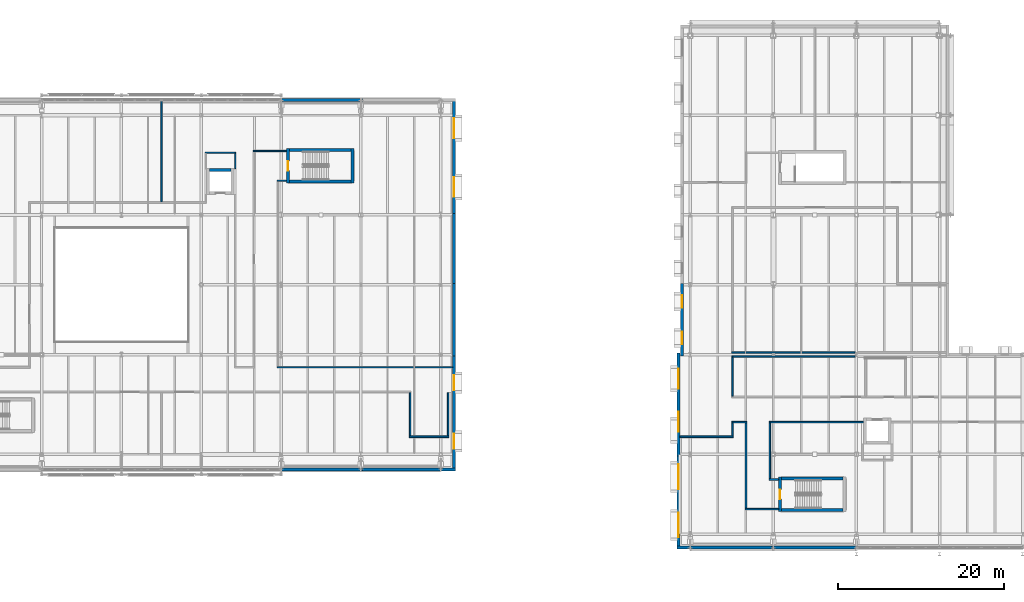
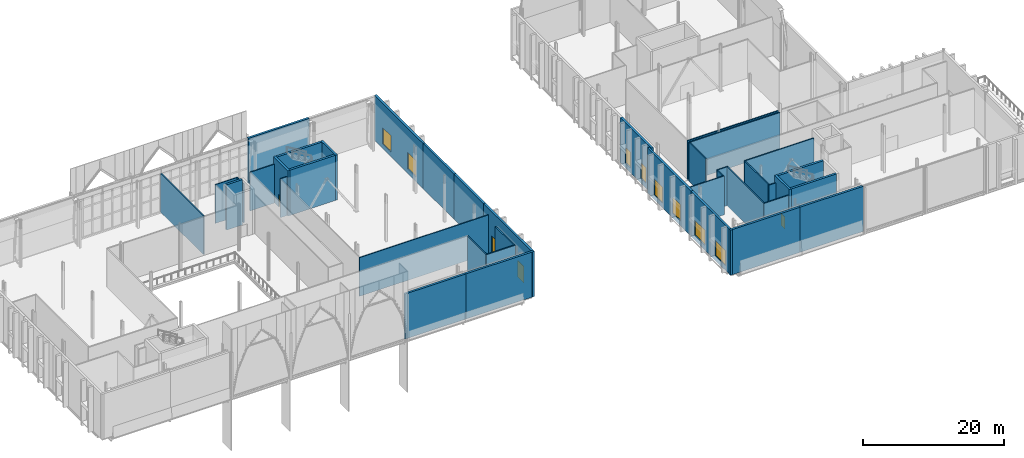
# One storey, part 60 of 79: 40 walls, 10 windows, 2 doors, 12 openings.
"""IFC4 building model written with IfcOpenShell, lengths in metres."""

from ifc_helpers import new_model, si_unit, direction, frame, frame_2d, origin, place, context, subcontext, project, spatial, rectangle, extrude, material, layer, layer_set, type_object, element, fill, save


model = new_model("IFC4")

# Units and contexts
model_context = context("Model", 3, precision=1e-05, world=origin(), true_north=direction((0.0, 1.0)))
body_context = subcontext(model_context, "Body", "Model", "MODEL_VIEW")
ifc_project = project(units=[si_unit("LENGTHUNIT", "METRE"), si_unit("AREAUNIT", "SQUARE_METRE"), si_unit("VOLUMEUNIT", "CUBIC_METRE"), si_unit("PLANEANGLEUNIT", "RADIAN"), si_unit("MASSUNIT", "GRAM", prefix="KILO")], contexts=[model_context])

# Site, building, storey
site_placement = place(None, origin())
site = spatial("IfcSite", under=ifc_project, at=site_placement, CompositionType="ELEMENT")
building_placement = place(site_placement, origin())
building = spatial("IfcBuilding", under=site, at=building_placement, Name="Zereglee Splitstone Museum", CompositionType="ELEMENT")
storey_placement = place(building_placement, frame((0.0, 0.0, 9.0)))
storey = spatial("IfcBuildingStorey", under=building, at=storey_placement, Name="L02", CompositionType="ELEMENT", Elevation=9.0)

# Wall, opening, door
ifc_material_1 = material(Name="Concrete C45/55", Category="concrete")
ifc_layer_1 = layer(ifc_material_1, 0.360107421875)
ifc_layer_set_1 = layer_set([ifc_layer_1], Name="Concrete C45/55")
wall_type_1 = type_object("IfcWallType", Name="CSW-02", PredefinedType="SHEAR", material=ifc_layer_set_1)
wall_1_placement = place(storey_placement, frame((126.820068359375, 42.239990234375, 0.0), z_axis=(0.0, 0.0, 1.0), x_axis=(0.0, 1.0, 0.0)))
wall_1 = element("IfcWall", 1, at=wall_1_placement, inside=storey, type_object=wall_type_1, Name="Stair Core Shear Wall ST-03 L02 West", PredefinedType="SHEAR", context=body_context, shape_type="SweptSolid", body=[
    extrude(rectangle(XDim=4.1201171875, YDim=0.360107421875, at=frame_2d((2.06005859375, 0.0))), origin(), (0.0, 0.0, 1.0), 7.820068359375),
])
opening_1_placement = place(wall_1_placement, frame((1.485107421875, 0.0, 0.0)))
opening_1 = element("IfcOpeningElement", 2, at=opening_1_placement, cuts=wall_1, Name="Opening ID-03", PredefinedType="OPENING", context=body_context, shape_type="SweptSolid", body=[
    extrude(rectangle(XDim=1.14990234375, YDim=2.14990234375, at=frame_2d((0.574951171875, 1.074951171875))), frame((0.0, 0.19482421875, 0.0), z_axis=(0.0, -1.0, 0.0), x_axis=(1.0, 0.0, 0.0)), (0.0, 0.0, 1.0), 0.389892578125),
])
ifc_material_2 = material(Name="Fire-rated steel and Siberian larch leaf", Category="steel")
door_type = type_object("IfcDoorType", Name="ID-03", OperationType="NOTDEFINED", PredefinedType="DOOR", material=ifc_material_2)
door_1_placement = place(opening_1_placement, origin())
door_1 = element("IfcDoor", 3, at=door_1_placement, inside=storey, type_object=door_type, Name="Protected Stair Fire Door ST-03 L02", OperationType="SINGLE_SWING_RIGHT", OverallHeight=2.14990234375, OverallWidth=1.14990234375, PredefinedType="DOOR", context=body_context, shape_type="SweptSolid", body=[
    extrude(rectangle(XDim=1.14990234375, YDim=2.14990234375, at=frame_2d((0.574951171875, 1.074951171875))), frame((0.0, 0.02490234375, 0.0), z_axis=(0.0, -1.0, 0.0), x_axis=(1.0, 0.0, 0.0)), (0.0, 0.0, 1.0), 0.050048828125),
])
fill(opening_1, door_1)

# Walls
wall_2_placement = place(storey_placement, frame((134.580078125, 42.239990234375, 0.0), z_axis=(0.0, 0.0, 1.0), x_axis=(0.0, 1.0, 0.0)))
element("IfcWall", 4, at=wall_2_placement, inside=storey, type_object=wall_type_1, Name="Stair Core Shear Wall ST-03 L02 East", PredefinedType="SHEAR", context=body_context, shape_type="SweptSolid", body=[
    extrude(rectangle(XDim=4.1201171875, YDim=0.360107421875, at=frame_2d((2.06005859375, 0.0))), origin(), (0.0, 0.0, 1.0), 7.820068359375),
])
for number, where, z_axis, x_axis, name in (
    (5, (127.0, 46.179931640625, 0.0), (0.0, 0.0, 1.0), (1.0, 0.0, 0.0), "Stair Core Shear Wall ST-03 L02 North"),
    (6, (127.0, 42.419921875, 0.0), (0.0, 0.0, 1.0), (1.0, 0.0, 0.0), "Stair Core Shear Wall ST-03 L02 South"),
):
    element("IfcWall", number, at=place(storey_placement, frame(where, z_axis=z_axis, x_axis=x_axis)), inside=storey, type_object=wall_type_1, Name=name, PredefinedType="SHEAR", context=body_context, shape_type="SweptSolid", body=[
        extrude(rectangle(XDim=7.39990234375, YDim=0.360107421875, at=frame_2d((3.699951171875, 0.0))), origin(), (0.0, 0.0, 1.0), 7.820068359375),
    ])

# Wall, opening, door
wall_3_placement = place(storey_placement, frame((186.02001953125, 2.739990234375, 0.0), z_axis=(0.0, 0.0, 1.0), x_axis=(0.0, 1.0, 0.0)))
wall_3 = element("IfcWall", 7, at=wall_3_placement, inside=storey, type_object=wall_type_1, Name="Stair Core Shear Wall ST-04 L02 West", PredefinedType="SHEAR", context=body_context, shape_type="SweptSolid", body=[
    extrude(rectangle(XDim=4.1201171875, YDim=0.360107421875, at=frame_2d((2.06005859375, 0.0))), origin(), (0.0, 0.0, 1.0), 7.820068359375),
])
opening_2_placement = place(wall_3_placement, frame((1.485107421875, 0.0, 0.0)))
opening_2 = element("IfcOpeningElement", 8, at=opening_2_placement, cuts=wall_3, Name="Opening ID-03", PredefinedType="OPENING", context=body_context, shape_type="SweptSolid", body=[
    extrude(rectangle(XDim=1.14990234375, YDim=2.14990234375, at=frame_2d((0.574951171875, 1.074951171875))), frame((0.0, 0.19482421875, 0.0), z_axis=(0.0, -1.0, 0.0), x_axis=(1.0, 0.0, 0.0)), (0.0, 0.0, 1.0), 0.389892578125),
])
door_2_placement = place(opening_2_placement, origin())
door_2 = element("IfcDoor", 9, at=door_2_placement, inside=storey, type_object=door_type, Name="Protected Stair Fire Door ST-04 L02", OperationType="SINGLE_SWING_RIGHT", OverallHeight=2.14990234375, OverallWidth=1.14990234375, PredefinedType="DOOR", context=body_context, shape_type="SweptSolid", body=[
    extrude(rectangle(XDim=1.14990234375, YDim=2.14990234375, at=frame_2d((0.574951171875, 1.074951171875))), frame((0.0, 0.02490234375, 0.0), z_axis=(0.0, -1.0, 0.0), x_axis=(1.0, 0.0, 0.0)), (0.0, 0.0, 1.0), 0.050048828125),
])
fill(opening_2, door_2)

# Walls
for number, where, z_axis, x_axis, name in (
    (10, (186.199951171875, 6.679931640625, 0.0), (0.0, 0.0, 1.0), (1.0, 0.0, 0.0), "Stair Core Shear Wall ST-04 L02 North"),
    (11, (186.199951171875, 2.919921875, 0.0), (0.0, 0.0, 1.0), (1.0, 0.0, 0.0), "Stair Core Shear Wall ST-04 L02 South"),
):
    element("IfcWall", number, at=place(storey_placement, frame(where, z_axis=z_axis, x_axis=x_axis)), inside=storey, type_object=wall_type_1, Name=name, PredefinedType="SHEAR", context=body_context, shape_type="SweptSolid", body=[
        extrude(rectangle(XDim=7.400146484375, YDim=0.360107421875, at=frame_2d((3.7001953125, 0.0))), origin(), (0.0, 0.0, 1.0), 7.820068359375),
    ])
wall_4_placement = place(storey_placement, frame((117.39990234375, 43.780029296875, 0.0), z_axis=(0.0, 0.0, 1.0), x_axis=(1.0, 0.0, 0.0)))
element("IfcWall", 12, at=wall_4_placement, inside=storey, type_object=wall_type_1, Name="Lift Shaft Wall PL-02 L02 North", PredefinedType="SHEAR", context=body_context, shape_type="SweptSolid", body=[
    extrude(rectangle(XDim=2.60009765625, YDim=0.360107421875, at=frame_2d((1.300048828125, 0.0))), origin(), (0.0, 0.0, 1.0), 7.820068359375),
])

# Wall, openings, windows
ifc_material_3 = material(Name="Precast concrete C40/50", Category="concrete")
ifc_layer_2 = layer(ifc_material_3, 0.35009765625)
ifc_layer_set_2 = layer_set([ifc_layer_2], Name="Precast concrete C40/50")
wall_type_2 = type_object("IfcWallType", Name="EW-01", PredefinedType="STANDARD", material=ifc_layer_set_2)
wall_5_placement = place(storey_placement, frame((173.800048828125, 21.780029296875, 0.0), z_axis=(0.0, 0.0, 1.0), x_axis=(0.0, -1.0, 0.0)))
wall_5 = element("IfcWall", 13, at=wall_5_placement, inside=storey, type_object=wall_type_2, Name="Exterior Backup Wall RC4-EW-L02-0110", PredefinedType="STANDARD", context=body_context, shape_type="SweptSolid", body=[
    extrude(rectangle(XDim=12.360107421875, YDim=0.35009765625, at=frame_2d((6.18017578125, 0.0))), origin(), (0.0, 0.0, 1.0), 7.800048828125),
])
opening_3_placement = place(wall_5_placement, frame((1.889892578125, 0.0, 0.800048828125)))
opening_3 = element("IfcOpeningElement", 14, at=opening_3_placement, cuts=wall_5, Name="Opening EW-W09", PredefinedType="OPENING", context=body_context, shape_type="SweptSolid", body=[
    extrude(rectangle(XDim=2.39990234375, YDim=2.800048828125, at=frame_2d((1.199951171875, 1.39990234375))), frame((0.0, 0.18994140625, 0.0), z_axis=(0.0, -1.0, 0.0), x_axis=(1.0, 0.0, 0.0)), (0.0, 0.0, 1.0), 0.3798828125),
])
opening_4_placement = place(wall_5_placement, frame((7.070068359375, 0.0, 0.800048828125)))
opening_4 = element("IfcOpeningElement", 15, at=opening_4_placement, cuts=wall_5, Name="Opening EW-W09", PredefinedType="OPENING", context=body_context, shape_type="SweptSolid", body=[
    extrude(rectangle(XDim=2.39990234375, YDim=2.800048828125, at=frame_2d((1.199951171875, 1.39990234375))), frame((0.0, 0.18994140625, 0.0), z_axis=(0.0, -1.0, 0.0), x_axis=(1.0, 0.0, 0.0)), (0.0, 0.0, 1.0), 0.3798828125),
])
ifc_material_4 = material(Name="Thermally broken aluminium frame with triple low-e glazing", Category="aluminium")
window_type_1 = type_object("IfcWindowType", Name="EW-W09", PartitioningType="TRIPLE_PANEL_VERTICAL", PredefinedType="WINDOW", material=ifc_material_4)
window_1_placement = place(opening_3_placement, origin())
window_1 = element("IfcWindow", 16, at=window_1_placement, inside=storey, type_object=window_type_1, Name="Mughal Deep-Reveal Gallery Window L02-0063", OverallHeight=2.800048828125, OverallWidth=2.39990234375, PartitioningType="SINGLE_PANEL", PredefinedType="WINDOW", context=body_context, shape_type="SweptSolid", body=[
    extrude(rectangle(XDim=2.39990234375, YDim=2.800048828125, at=frame_2d((1.199951171875, 1.39990234375))), frame((0.0, 0.030029296875, 0.0), z_axis=(0.0, -1.0, 0.0), x_axis=(1.0, 0.0, 0.0)), (0.0, 0.0, 1.0), 0.06005859375),
])
fill(opening_3, window_1)
window_2_placement = place(opening_4_placement, origin())
window_2 = element("IfcWindow", 17, at=window_2_placement, inside=storey, type_object=window_type_1, Name="Mughal Deep-Reveal Gallery Window L02-0064", OverallHeight=2.800048828125, OverallWidth=2.39990234375, PartitioningType="SINGLE_PANEL", PredefinedType="WINDOW", context=body_context, shape_type="SweptSolid", body=[
    extrude(rectangle(XDim=2.39990234375, YDim=2.800048828125, at=frame_2d((1.199951171875, 1.39990234375))), frame((0.0, 0.030029296875, 0.0), z_axis=(0.0, -1.0, 0.0), x_axis=(1.0, 0.0, 0.0)), (0.0, 0.0, 1.0), 0.06005859375),
])
fill(opening_4, window_2)

wall_6_placement = place(storey_placement, frame((173.800048828125, 9.780029296875, 0.0), z_axis=(0.0, 0.0, 1.0), x_axis=(0.0, -1.0, 0.0)))
wall_6 = element("IfcWall", 18, at=wall_6_placement, inside=storey, type_object=wall_type_2, Name="Exterior Backup Wall RC4-EW-L02-0111", PredefinedType="STANDARD", context=body_context, shape_type="SweptSolid", body=[
    extrude(rectangle(XDim=11.56005859375, YDim=0.35009765625, at=frame_2d((5.780029296875, 0.0))), origin(), (0.0, 0.0, 1.0), 7.800048828125),
])
opening_5_placement = place(wall_6_placement, frame((1.389892578125, 0.0, 0.800048828125)))
opening_5 = element("IfcOpeningElement", 19, at=opening_5_placement, cuts=wall_6, Name="Opening EW-W11", PredefinedType="OPENING", context=body_context, shape_type="SweptSolid", body=[
    extrude(rectangle(XDim=3.0, YDim=2.60009765625, at=frame_2d((1.5, 1.300048828125))), frame((0.0, 0.18994140625, 0.0), z_axis=(0.0, -1.0, 0.0), x_axis=(1.0, 0.0, 0.0)), (0.0, 0.0, 1.0), 0.3798828125),
])
opening_6_placement = place(wall_6_placement, frame((7.169921875, 0.0, 0.800048828125)))
opening_6 = element("IfcOpeningElement", 20, at=opening_6_placement, cuts=wall_6, Name="Opening EW-W11", PredefinedType="OPENING", context=body_context, shape_type="SweptSolid", body=[
    extrude(rectangle(XDim=3.0, YDim=2.60009765625, at=frame_2d((1.5, 1.300048828125))), frame((0.0, 0.18994140625, 0.0), z_axis=(0.0, -1.0, 0.0), x_axis=(1.0, 0.0, 0.0)), (0.0, 0.0, 1.0), 0.3798828125),
])
window_type_2 = type_object("IfcWindowType", Name="EW-W11", PartitioningType="TRIPLE_PANEL_VERTICAL", PredefinedType="WINDOW", material=ifc_material_4)
window_3_placement = place(opening_5_placement, origin())
window_3 = element("IfcWindow", 21, at=window_3_placement, inside=storey, type_object=window_type_2, Name="Mughal Deep-Reveal Gallery Window L02-0065", OverallHeight=2.60009765625, OverallWidth=3.0, PartitioningType="SINGLE_PANEL", PredefinedType="WINDOW", context=body_context, shape_type="SweptSolid", body=[
    extrude(rectangle(XDim=3.0, YDim=2.60009765625, at=frame_2d((1.5, 1.300048828125))), frame((0.0, 0.030029296875, 0.0), z_axis=(0.0, -1.0, 0.0), x_axis=(1.0, 0.0, 0.0)), (0.0, 0.0, 1.0), 0.06005859375),
])
fill(opening_5, window_3)
window_4_placement = place(opening_6_placement, origin())
window_4 = element("IfcWindow", 22, at=window_4_placement, inside=storey, type_object=window_type_2, Name="Mughal Deep-Reveal Gallery Window L02-0066", OverallHeight=2.60009765625, OverallWidth=3.0, PartitioningType="SINGLE_PANEL", PredefinedType="WINDOW", context=body_context, shape_type="SweptSolid", body=[
    extrude(rectangle(XDim=3.0, YDim=2.60009765625, at=frame_2d((1.5, 1.300048828125))), frame((0.0, 0.030029296875, 0.0), z_axis=(0.0, -1.0, 0.0), x_axis=(1.0, 0.0, 0.0)), (0.0, 0.0, 1.0), 0.06005859375),
])
fill(opening_6, window_4)

# Walls
wall_7_placement = place(storey_placement, frame((173.6201171875, -1.60009765625, 0.0), z_axis=(0.0, 0.0, 1.0), x_axis=(1.0, 0.0, 0.0)))
element("IfcWall", 23, at=wall_7_placement, inside=storey, type_object=wall_type_2, Name="Exterior Backup Wall RC4-EW-L02-0112", PredefinedType="STANDARD", context=body_context, shape_type="SweptSolid", body=[
    extrude(rectangle(XDim=11.759765625, YDim=0.35009765625, at=frame_2d((5.8798828125, 0.0))), origin(), (0.0, 0.0, 1.0), 7.800048828125),
])
wall_8_placement = place(storey_placement, frame((185.02001953125, -1.60009765625, 0.0), z_axis=(0.0, 0.0, 1.0), x_axis=(1.0, 0.0, 0.0)))
element("IfcWall", 24, at=wall_8_placement, inside=storey, type_object=wall_type_2, Name="Exterior Backup Wall RC4-EW-L02-0113", PredefinedType="STANDARD", context=body_context, shape_type="SweptSolid", body=[
    extrude(rectangle(XDim=10.35986328125, YDim=0.35009765625, at=frame_2d((5.179931640625, 0.0))), origin(), (0.0, 0.0, 1.0), 7.800048828125),
])

# Wall, openings, windows
wall_9_placement = place(storey_placement, frame((174.219970703125, 30.179931640625, 0.0), z_axis=(0.0, 0.0, 1.0), x_axis=(0.0, -1.0, 0.0)))
wall_9 = element("IfcWall", 25, at=wall_9_placement, inside=storey, type_object=wall_type_2, Name="Exterior Backup Wall RC4-EW-L02-0129", PredefinedType="STANDARD", context=body_context, shape_type="SweptSolid", body=[
    extrude(rectangle(XDim=8.760009765625, YDim=0.35009765625, at=frame_2d((4.3798828125, 0.0))), origin(), (0.0, 0.0, 1.0), 7.800048828125),
])
opening_7_placement = place(wall_9_placement, frame((1.43994140625, 0.0, 0.800048828125)))
opening_7 = element("IfcOpeningElement", 26, at=opening_7_placement, cuts=wall_9, Name="Opening EW-W05", PredefinedType="OPENING", context=body_context, shape_type="SweptSolid", body=[
    extrude(rectangle(XDim=1.5, YDim=2.699951171875, at=frame_2d((0.75, 1.35009765625))), frame((0.0, 0.18994140625, 0.0), z_axis=(0.0, -1.0, 0.0), x_axis=(1.0, 0.0, 0.0)), (0.0, 0.0, 1.0), 0.3798828125),
])
opening_8_placement = place(wall_9_placement, frame((5.820068359375, 0.0, 0.800048828125)))
opening_8 = element("IfcOpeningElement", 27, at=opening_8_placement, cuts=wall_9, Name="Opening EW-W05", PredefinedType="OPENING", context=body_context, shape_type="SweptSolid", body=[
    extrude(rectangle(XDim=1.5, YDim=2.699951171875, at=frame_2d((0.75, 1.35009765625))), frame((0.0, 0.18994140625, 0.0), z_axis=(0.0, -1.0, 0.0), x_axis=(1.0, 0.0, 0.0)), (0.0, 0.0, 1.0), 0.3798828125),
])
window_type_3 = type_object("IfcWindowType", Name="EW-W05", PartitioningType="DOUBLE_PANEL_VERTICAL", PredefinedType="WINDOW", material=ifc_material_4)
window_5_placement = place(opening_7_placement, origin())
window_5 = element("IfcWindow", 28, at=window_5_placement, inside=storey, type_object=window_type_3, Name="Mughal Deep-Reveal Gallery Window L02-0079", OverallHeight=2.699951171875, OverallWidth=1.5, PartitioningType="SINGLE_PANEL", PredefinedType="WINDOW", context=body_context, shape_type="SweptSolid", body=[
    extrude(rectangle(XDim=1.5, YDim=2.699951171875, at=frame_2d((0.75, 1.35009765625))), frame((0.0, 0.030029296875, 0.0), z_axis=(0.0, -1.0, 0.0), x_axis=(1.0, 0.0, 0.0)), (0.0, 0.0, 1.0), 0.06005859375),
])
fill(opening_7, window_5)
window_6_placement = place(opening_8_placement, origin())
window_6 = element("IfcWindow", 29, at=window_6_placement, inside=storey, type_object=window_type_3, Name="Mughal Deep-Reveal Gallery Window L02-0080", OverallHeight=2.699951171875, OverallWidth=1.5, PartitioningType="SINGLE_PANEL", PredefinedType="WINDOW", context=body_context, shape_type="SweptSolid", body=[
    extrude(rectangle(XDim=1.5, YDim=2.699951171875, at=frame_2d((0.75, 1.35009765625))), frame((0.0, 0.030029296875, 0.0), z_axis=(0.0, -1.0, 0.0), x_axis=(1.0, 0.0, 0.0)), (0.0, 0.0, 1.0), 0.06005859375),
])
fill(opening_8, window_6)

# Walls
wall_10_placement = place(storey_placement, frame((125.820068359375, 7.800048828125, 0.0), z_axis=(0.0, 0.0, 1.0), x_axis=(1.0, 0.0, 0.0)))
element("IfcWall", 30, at=wall_10_placement, inside=storey, type_object=wall_type_2, Name="Exterior Backup Wall RC4-EW-L02-0154", PredefinedType="STANDARD", context=body_context, shape_type="SweptSolid", body=[
    extrude(rectangle(XDim=9.9599609375, YDim=0.35009765625, at=frame_2d((4.97998046875, 0.0))), origin(), (0.0, 0.0, 1.0), 7.800048828125),
])
wall_11_placement = place(storey_placement, frame((135.419921875, 7.800048828125, 0.0), z_axis=(0.0, 0.0, 1.0), x_axis=(1.0, 0.0, 0.0)))
element("IfcWall", 31, at=wall_11_placement, inside=storey, type_object=wall_type_2, Name="Exterior Backup Wall RC4-EW-L02-0155", PredefinedType="STANDARD", context=body_context, shape_type="SweptSolid", body=[
    extrude(rectangle(XDim=11.56005859375, YDim=0.35009765625, at=frame_2d((5.780029296875, 0.0))), origin(), (0.0, 0.0, 1.0), 7.800048828125),
])

# Wall, openings, windows
wall_12_placement = place(storey_placement, frame((146.800048828125, 7.6201171875, 0.0), z_axis=(0.0, 0.0, 1.0), x_axis=(0.0, 1.0, 0.0)))
wall_12 = element("IfcWall", 32, at=wall_12_placement, inside=storey, type_object=wall_type_2, Name="Exterior Backup Wall RC4-EW-L02-0156", PredefinedType="STANDARD", context=body_context, shape_type="SweptSolid", body=[
    extrude(rectangle(XDim=14.159912109375, YDim=0.35009765625, at=frame_2d((7.080078125, 0.0))), origin(), (0.0, 0.0, 1.0), 7.800048828125),
])
opening_9_placement = place(wall_12_placement, frame((2.639892578125, 0.0, 0.800048828125)))
opening_9 = element("IfcOpeningElement", 33, at=opening_9_placement, cuts=wall_12, Name="Opening EW-W07", PredefinedType="OPENING", context=body_context, shape_type="SweptSolid", body=[
    extrude(rectangle(XDim=1.800048828125, YDim=2.800048828125, at=frame_2d((0.89990234375, 1.39990234375))), frame((0.0, 0.18994140625, 0.0), z_axis=(0.0, -1.0, 0.0), x_axis=(1.0, 0.0, 0.0)), (0.0, 0.0, 1.0), 0.3798828125),
])
opening_10_placement = place(wall_12_placement, frame((9.719970703125, 0.0, 0.800048828125)))
opening_10 = element("IfcOpeningElement", 34, at=opening_10_placement, cuts=wall_12, Name="Opening EW-W07", PredefinedType="OPENING", context=body_context, shape_type="SweptSolid", body=[
    extrude(rectangle(XDim=1.800048828125, YDim=2.800048828125, at=frame_2d((0.89990234375, 1.39990234375))), frame((0.0, 0.18994140625, 0.0), z_axis=(0.0, -1.0, 0.0), x_axis=(1.0, 0.0, 0.0)), (0.0, 0.0, 1.0), 0.3798828125),
])
window_type_4 = type_object("IfcWindowType", Name="EW-W07", PartitioningType="DOUBLE_PANEL_VERTICAL", PredefinedType="WINDOW", material=ifc_material_4)
window_7_placement = place(opening_9_placement, origin())
window_7 = element("IfcWindow", 35, at=window_7_placement, inside=storey, type_object=window_type_4, Name="Mughal Deep-Reveal Gallery Window L02-0101", OverallHeight=2.800048828125, OverallWidth=1.800048828125, PartitioningType="SINGLE_PANEL", PredefinedType="WINDOW", context=body_context, shape_type="SweptSolid", body=[
    extrude(rectangle(XDim=1.800048828125, YDim=2.800048828125, at=frame_2d((0.89990234375, 1.39990234375))), frame((0.0, 0.030029296875, 0.0), z_axis=(0.0, -1.0, 0.0), x_axis=(1.0, 0.0, 0.0)), (0.0, 0.0, 1.0), 0.06005859375),
])
fill(opening_9, window_7)
window_8_placement = place(opening_10_placement, origin())
window_8 = element("IfcWindow", 36, at=window_8_placement, inside=storey, type_object=window_type_4, Name="Mughal Deep-Reveal Gallery Window L02-0102", OverallHeight=2.800048828125, OverallWidth=1.800048828125, PartitioningType="SINGLE_PANEL", PredefinedType="WINDOW", context=body_context, shape_type="SweptSolid", body=[
    extrude(rectangle(XDim=1.800048828125, YDim=2.800048828125, at=frame_2d((0.89990234375, 1.39990234375))), frame((0.0, 0.030029296875, 0.0), z_axis=(0.0, -1.0, 0.0), x_axis=(1.0, 0.0, 0.0)), (0.0, 0.0, 1.0), 0.06005859375),
])
fill(opening_10, window_8)

# Walls
for number, where, z_axis, x_axis, name in (
    (37, (146.800048828125, 21.419921875, 0.0), (0.0, 0.0, 1.0), (0.0, 1.0, 0.0), "Exterior Backup Wall RC4-EW-L02-0157"),
    (38, (146.800048828125, 29.820068359375, 0.0), (0.0, 0.0, 1.0), (0.0, 1.0, 0.0), "Exterior Backup Wall RC4-EW-L02-0158"),
):
    element("IfcWall", number, at=place(storey_placement, frame(where, z_axis=z_axis, x_axis=x_axis)), inside=storey, type_object=wall_type_2, Name=name, PredefinedType="STANDARD", context=body_context, shape_type="SweptSolid", body=[
        extrude(rectangle(XDim=8.760009765625, YDim=0.35009765625, at=frame_2d((4.3798828125, 0.0))), origin(), (0.0, 0.0, 1.0), 7.800048828125),
    ])

# Wall, openings, windows
wall_13_placement = place(storey_placement, frame((146.800048828125, 38.219970703125, 0.0), z_axis=(0.0, 0.0, 1.0), x_axis=(0.0, 1.0, 0.0)))
wall_13 = element("IfcWall", 39, at=wall_13_placement, inside=storey, type_object=wall_type_2, Name="Exterior Backup Wall RC4-EW-L02-0159", PredefinedType="STANDARD", context=body_context, shape_type="SweptSolid", body=[
    extrude(rectangle(XDim=14.159912109375, YDim=0.35009765625, at=frame_2d((7.080078125, 0.0))), origin(), (0.0, 0.0, 1.0), 7.800048828125),
])
opening_11_placement = place(wall_13_placement, frame((2.340087890625, 0.0, 0.800048828125)))
opening_11 = element("IfcOpeningElement", 40, at=opening_11_placement, cuts=wall_13, Name="Opening EW-W09", PredefinedType="OPENING", context=body_context, shape_type="SweptSolid", body=[
    extrude(rectangle(XDim=2.39990234375, YDim=2.800048828125, at=frame_2d((1.199951171875, 1.39990234375))), frame((0.0, 0.18994140625, 0.0), z_axis=(0.0, -1.0, 0.0), x_axis=(1.0, 0.0, 0.0)), (0.0, 0.0, 1.0), 0.3798828125),
])
opening_12_placement = place(wall_13_placement, frame((9.419921875, 0.0, 0.800048828125)))
opening_12 = element("IfcOpeningElement", 41, at=opening_12_placement, cuts=wall_13, Name="Opening EW-W09", PredefinedType="OPENING", context=body_context, shape_type="SweptSolid", body=[
    extrude(rectangle(XDim=2.39990234375, YDim=2.800048828125, at=frame_2d((1.199951171875, 1.39990234375))), frame((0.0, 0.18994140625, 0.0), z_axis=(0.0, -1.0, 0.0), x_axis=(1.0, 0.0, 0.0)), (0.0, 0.0, 1.0), 0.3798828125),
])
window_9_placement = place(opening_11_placement, origin())
window_9 = element("IfcWindow", 42, at=window_9_placement, inside=storey, type_object=window_type_1, Name="Mughal Deep-Reveal Gallery Window L02-0103", OverallHeight=2.800048828125, OverallWidth=2.39990234375, PartitioningType="SINGLE_PANEL", PredefinedType="WINDOW", context=body_context, shape_type="SweptSolid", body=[
    extrude(rectangle(XDim=2.39990234375, YDim=2.800048828125, at=frame_2d((1.199951171875, 1.39990234375))), frame((0.0, 0.030029296875, 0.0), z_axis=(0.0, -1.0, 0.0), x_axis=(1.0, 0.0, 0.0)), (0.0, 0.0, 1.0), 0.06005859375),
])
fill(opening_11, window_9)
window_10_placement = place(opening_12_placement, origin())
window_10 = element("IfcWindow", 43, at=window_10_placement, inside=storey, type_object=window_type_1, Name="Mughal Deep-Reveal Gallery Window L02-0104", OverallHeight=2.800048828125, OverallWidth=2.39990234375, PartitioningType="SINGLE_PANEL", PredefinedType="WINDOW", context=body_context, shape_type="SweptSolid", body=[
    extrude(rectangle(XDim=2.39990234375, YDim=2.800048828125, at=frame_2d((1.199951171875, 1.39990234375))), frame((0.0, 0.030029296875, 0.0), z_axis=(0.0, -1.0, 0.0), x_axis=(1.0, 0.0, 0.0)), (0.0, 0.0, 1.0), 0.06005859375),
])
fill(opening_12, window_10)

# Walls
wall_14_placement = place(storey_placement, frame((135.780029296875, 52.199951171875, 0.0), z_axis=(0.0, 0.0, 1.0), x_axis=(-1.0, 0.0, 0.0)))
element("IfcWall", 44, at=wall_14_placement, inside=storey, type_object=wall_type_2, Name="Exterior Backup Wall RC4-EW-L02-0161", PredefinedType="STANDARD", context=body_context, shape_type="SweptSolid", body=[
    extrude(rectangle(XDim=9.9599609375, YDim=0.35009765625, at=frame_2d((4.97998046875, 0.0))), origin(), (0.0, 0.0, 1.0), 7.800048828125),
])
ifc_material_5 = material(Name="Fire-rated gypsum board partition", Category="masonry")
ifc_layer_3 = layer(ifc_material_5, 0.139892578125)
ifc_layer_set_3 = layer_set([ifc_layer_3], Name="Fire-rated gypsum board partition")
wall_type_3 = type_object("IfcWallType", Name="IW-05", PredefinedType="PARTITIONING", material=ifc_layer_set_3)
wall_15_placement = place(storey_placement, frame((125.510009765625, 20.080078125, 0.0), z_axis=(0.0, 0.0, 1.0), x_axis=(1.0, 0.0, 0.0)))
element("IfcWall", 45, at=wall_15_placement, inside=storey, type_object=wall_type_3, Name="Interior Partition L02-0482 (Research Reading Room)", PredefinedType="PARTITIONING", context=body_context, shape_type="SweptSolid", body=[
    extrude(rectangle(XDim=21.114990234375, YDim=0.139892578125, at=frame_2d((10.5576171875, 0.0))), origin(), (0.0, 0.0, 1.0), 6.699951171875),
])
wall_16_placement = place(storey_placement, frame((125.510009765625, 42.52001953125, 0.0), z_axis=(0.0, 0.0, 1.0), x_axis=(1.0, 0.0, 0.0)))
element("IfcWall", 46, at=wall_16_placement, inside=storey, type_object=wall_type_3, Name="Interior Partition L02-0504 (Research Reading Room)", PredefinedType="PARTITIONING", context=body_context, shape_type="SweptSolid", body=[
    extrude(rectangle(XDim=1.1298828125, YDim=0.139892578125, at=frame_2d((0.56494140625, 0.0))), origin(), (0.0, 0.0, 1.0), 6.699951171875),
])
wall_17_placement = place(storey_placement, frame((116.85009765625, 45.8798828125, 0.0), z_axis=(0.0, 0.0, 1.0), x_axis=(1.0, 0.0, 0.0)))
element("IfcWall", 47, at=wall_17_placement, inside=storey, type_object=wall_type_3, Name="Interior Partition L02-0505 (Research Reading Room)", PredefinedType="PARTITIONING", context=body_context, shape_type="SweptSolid", body=[
    extrude(rectangle(XDim=3.699951171875, YDim=0.139892578125, at=frame_2d((1.85009765625, 0.0))), origin(), (0.0, 0.0, 1.0), 6.699951171875),
])
wall_18_placement = place(storey_placement, frame((122.64990234375, 46.080078125, 0.0), z_axis=(0.0, 0.0, 1.0), x_axis=(1.0, 0.0, 0.0)))
element("IfcWall", 48, at=wall_18_placement, inside=storey, type_object=wall_type_3, Name="Interior Partition L02-0507 (Research Reading Room)", PredefinedType="PARTITIONING", context=body_context, shape_type="SweptSolid", body=[
    extrude(rectangle(XDim=3.989990234375, YDim=0.139892578125, at=frame_2d((1.9951171875, 0.0))), origin(), (0.0, 0.0, 1.0), 6.699951171875),
])
wall_19_placement = place(storey_placement, frame((120.47998046875, 43.9599609375, 0.0), z_axis=(0.0, 0.0, 1.0), x_axis=(0.0, 1.0, 0.0)))
element("IfcWall", 49, at=wall_19_placement, inside=storey, type_object=wall_type_3, Name="Interior Partition L02-0536 (Research Reading Room)", PredefinedType="PARTITIONING", context=body_context, shape_type="SweptSolid", body=[
    extrude(rectangle(XDim=1.85009765625, YDim=0.139892578125, at=frame_2d((0.925048828125, 0.0))), origin(), (0.0, 0.0, 1.0), 6.699951171875),
])
ifc_material_6 = material(Name="Gypsum board on acoustic steel stud", Category="steel")
ifc_layer_4 = layer(ifc_material_6, 0.18994140625)
ifc_layer_set_4 = layer_set([ifc_layer_4], Name="Gypsum board on acoustic steel stud")
wall_type_4 = type_object("IfcWallType", Name="IW-02", PredefinedType="PARTITIONING", material=ifc_layer_set_4)
wall_20_placement = place(storey_placement, frame((181.824951171875, 3.02001953125, 0.0), z_axis=(0.0, 0.0, 1.0), x_axis=(1.0, 0.0, 0.0)))
element("IfcWall", 50, at=wall_20_placement, inside=storey, type_object=wall_type_4, Name="Interior Partition L02-0454 (Botanical Diorama Gallery)", PredefinedType="PARTITIONING", context=body_context, shape_type="SweptSolid", body=[
    extrude(rectangle(XDim=4.01513671875, YDim=0.18994140625, at=frame_2d((2.007568359375, 0.0))), origin(), (0.0, 0.0, 1.0), 6.699951171875),
])
wall_21_placement = place(storey_placement, frame((184.68505859375, 6.580078125, 0.0), z_axis=(0.0, 0.0, 1.0), x_axis=(1.0, 0.0, 0.0)))
element("IfcWall", 51, at=wall_21_placement, inside=storey, type_object=wall_type_4, Name="Interior Partition L02-0456 (Botanical Diorama Gallery)", PredefinedType="PARTITIONING", context=body_context, shape_type="SweptSolid", body=[
    extrude(rectangle(XDim=1.155029296875, YDim=0.18994140625, at=frame_2d((0.57763671875, 0.0))), origin(), (0.0, 0.0, 1.0), 6.699951171875),
])
wall_22_placement = place(storey_placement, frame((141.425048828125, 11.719970703125, 0.0), z_axis=(0.0, 0.0, 1.0), x_axis=(1.0, 0.0, 0.0)))
element("IfcWall", 52, at=wall_22_placement, inside=storey, type_object=wall_type_4, Name="Interior Partition L02-0460 (Monumental Stone Inscription Gallery)", PredefinedType="PARTITIONING", context=body_context, shape_type="SweptSolid", body=[
    extrude(rectangle(XDim=4.75, YDim=0.18994140625, at=frame_2d((2.375, 0.0))), origin(), (0.0, 0.0, 1.0), 6.699951171875),
])
wall_23_placement = place(storey_placement, frame((173.97509765625, 11.719970703125, 0.0), z_axis=(0.0, 0.0, 1.0), x_axis=(1.0, 0.0, 0.0)))
element("IfcWall", 53, at=wall_23_placement, inside=storey, type_object=wall_type_4, Name="Interior Partition L02-0461 (Botanical Diorama Gallery)", PredefinedType="PARTITIONING", context=body_context, shape_type="SweptSolid", body=[
    extrude(rectangle(XDim=6.39990234375, YDim=0.18994140625, at=frame_2d((3.199951171875, 0.0))), origin(), (0.0, 0.0, 1.0), 6.699951171875),
])
wall_24_placement = place(storey_placement, frame((180.18505859375, 13.47998046875, 0.0), z_axis=(0.0, 0.0, 1.0), x_axis=(1.0, 0.0, 0.0)))
element("IfcWall", 54, at=wall_24_placement, inside=storey, type_object=wall_type_4, Name="Interior Partition L02-0465 (Botanical Diorama Gallery)", PredefinedType="PARTITIONING", context=body_context, shape_type="SweptSolid", body=[
    extrude(rectangle(XDim=1.829833984375, YDim=0.18994140625, at=frame_2d((0.9150390625, 0.0))), origin(), (0.0, 0.0, 1.0), 6.699951171875),
])
wall_25_placement = place(storey_placement, frame((184.68505859375, 13.47998046875, 0.0), z_axis=(0.0, 0.0, 1.0), x_axis=(1.0, 0.0, 0.0)))
element("IfcWall", 55, at=wall_25_placement, inside=storey, type_object=wall_type_4, Name="Interior Partition L02-0466 (Botanical Diorama Gallery)", PredefinedType="PARTITIONING", context=body_context, shape_type="SweptSolid", body=[
    extrude(rectangle(XDim=11.35498046875, YDim=0.18994140625, at=frame_2d((5.677490234375, 0.0))), origin(), (0.0, 0.0, 1.0), 6.699951171875),
])
for number, where, z_axis, x_axis, name in (
    (56, (180.18505859375, 21.360107421875, 0.0), (0.0, 0.0, 1.0), (1.0, 0.0, 0.0), "Interior Partition L02-0485 (Khuvsgul Larch Forest Ecology Gallery)"),
    (57, (180.18505859375, 21.840087890625, 0.0), (0.0, 0.0, 1.0), (1.0, 0.0, 0.0), "Interior Partition L02-0487 (Meteoritics Exhibition Room)"),
):
    element("IfcWall", number, at=place(storey_placement, frame(where, z_axis=z_axis, x_axis=x_axis)), inside=storey, type_object=wall_type_4, Name=name, PredefinedType="PARTITIONING", context=body_context, shape_type="SweptSolid", body=[
        extrude(rectangle(XDim=14.864990234375, YDim=0.18994140625, at=frame_2d((7.4326171875, 0.0))), origin(), (0.0, 0.0, 1.0), 6.699951171875),
    ])
wall_26_placement = place(storey_placement, frame((111.60009765625, 39.97509765625, 0.0), z_axis=(0.0, 0.0, 1.0), x_axis=(0.0, 1.0, 0.0)))
element("IfcWall", 58, at=wall_26_placement, inside=storey, type_object=wall_type_4, Name="Interior Partition L02-0532 (Temporary Exhibition Gallery)", PredefinedType="PARTITIONING", context=body_context, shape_type="SweptSolid", body=[
    extrude(rectangle(XDim=12.135009765625, YDim=0.18994140625, at=frame_2d((6.0673828125, 0.0))), origin(), (0.0, 0.0, 1.0), 6.699951171875),
])
wall_27_placement = place(storey_placement, frame((141.52001953125, 11.81494140625, 0.0), z_axis=(0.0, 0.0, 1.0), x_axis=(0.0, 1.0, 0.0)))
element("IfcWall", 59, at=wall_27_placement, inside=storey, type_object=wall_type_4, Name="Interior Partition L02-0539 (Monumental Stone Inscription Gallery)", PredefinedType="PARTITIONING", context=body_context, shape_type="SweptSolid", body=[
    extrude(rectangle(XDim=5.2099609375, YDim=0.18994140625, at=frame_2d((2.60498046875, 0.0))), origin(), (0.0, 0.0, 1.0), 6.699951171875),
])
wall_28_placement = place(storey_placement, frame((146.080078125, 11.81494140625, 0.0), z_axis=(0.0, 0.0, 1.0), x_axis=(0.0, 1.0, 0.0)))
element("IfcWall", 60, at=wall_28_placement, inside=storey, type_object=wall_type_4, Name="Interior Partition L02-0540 (Monumental Stone Inscription Gallery)", PredefinedType="PARTITIONING", context=body_context, shape_type="SweptSolid", body=[
    extrude(rectangle(XDim=5.22509765625, YDim=0.18994140625, at=frame_2d((2.612548828125, 0.0))), origin(), (0.0, 0.0, 1.0), 6.699951171875),
])
wall_29_placement = place(storey_placement, frame((180.280029296875, 11.81494140625, 0.0), z_axis=(0.0, 0.0, 1.0), x_axis=(0.0, 1.0, 0.0)))
element("IfcWall", 61, at=wall_29_placement, inside=storey, type_object=wall_type_4, Name="Interior Partition L02-0541 (Botanical Diorama Gallery)", PredefinedType="PARTITIONING", context=body_context, shape_type="SweptSolid", body=[
    extrude(rectangle(XDim=1.570068359375, YDim=0.18994140625, at=frame_2d((0.78515625, 0.0))), origin(), (0.0, 0.0, 1.0), 6.699951171875),
])
wall_30_placement = place(storey_placement, frame((180.280029296875, 16.614990234375, 0.0), z_axis=(0.0, 0.0, 1.0), x_axis=(0.0, 1.0, 0.0)))
element("IfcWall", 62, at=wall_30_placement, inside=storey, type_object=wall_type_4, Name="Interior Partition L02-0542 (Khuvsgul Larch Forest Ecology Gallery)", PredefinedType="PARTITIONING", context=body_context, shape_type="SweptSolid", body=[
    extrude(rectangle(XDim=4.64990234375, YDim=0.18994140625, at=frame_2d((2.324951171875, 0.0))), origin(), (0.0, 0.0, 1.0), 6.699951171875),
])
wall_31_placement = place(storey_placement, frame((181.919921875, 3.114990234375, 0.0), z_axis=(0.0, 0.0, 1.0), x_axis=(0.0, 1.0, 0.0)))
element("IfcWall", 63, at=wall_31_placement, inside=storey, type_object=wall_type_4, Name="Interior Partition L02-0544 (Botanical Diorama Gallery)", PredefinedType="PARTITIONING", context=body_context, shape_type="SweptSolid", body=[
    extrude(rectangle(XDim=10.27001953125, YDim=0.18994140625, at=frame_2d((5.135009765625, 0.0))), origin(), (0.0, 0.0, 1.0), 6.699951171875),
])
wall_32_placement = place(storey_placement, frame((184.780029296875, 6.675048828125, 0.0), z_axis=(0.0, 0.0, 1.0), x_axis=(0.0, 1.0, 0.0)))
element("IfcWall", 64, at=wall_32_placement, inside=storey, type_object=wall_type_4, Name="Interior Partition L02-0546 (Botanical Diorama Gallery)", PredefinedType="PARTITIONING", context=body_context, shape_type="SweptSolid", body=[
    extrude(rectangle(XDim=6.7099609375, YDim=0.18994140625, at=frame_2d((3.35498046875, 0.0))), origin(), (0.0, 0.0, 1.0), 6.699951171875),
])

save(model, "model.ifc")
